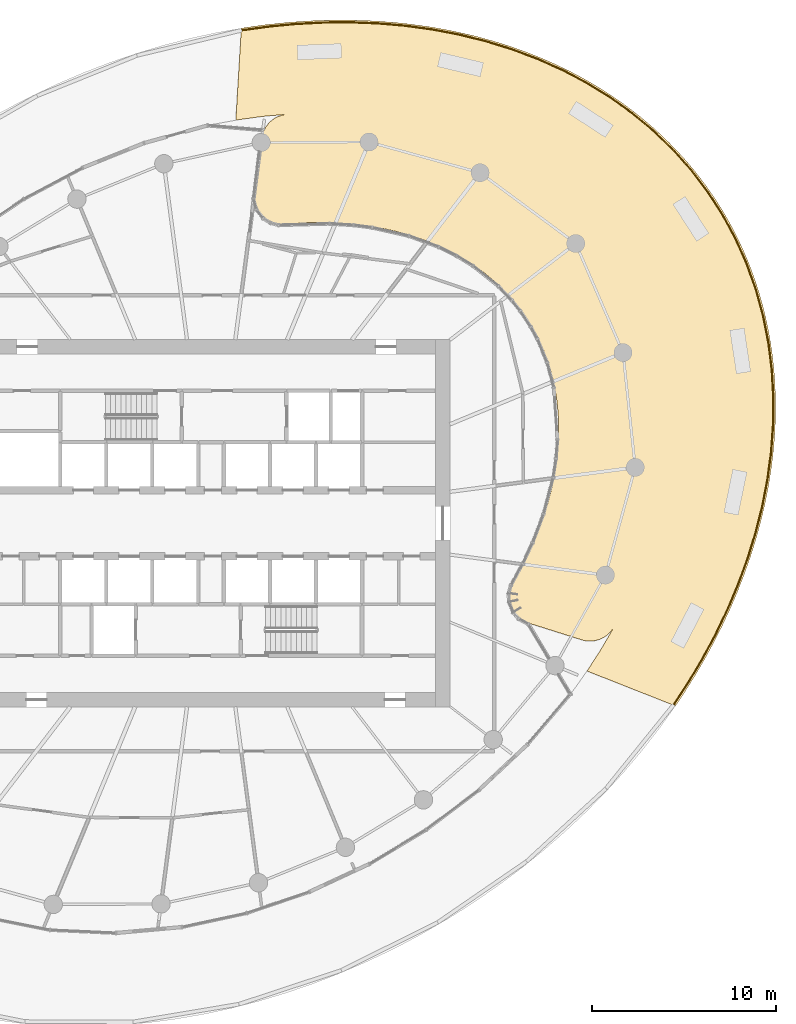
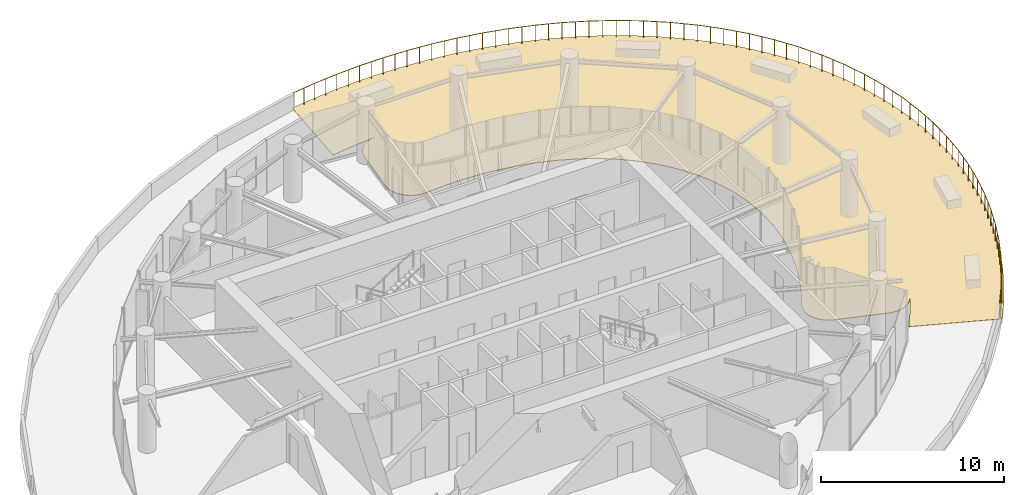
# One storey, part 20 of 21: 1 covering, 1 railing.
"""IFC4 building model written with IfcOpenShell, lengths in metres."""

from ifc_helpers import new_model, si_unit, direction, frame, origin, origin_2d, place, context, subcontext, project, spatial, line, indexed_curve, circle, outline, extrude, material, layer, layer_set, type_object, element, save


model = new_model("IFC4")

# Units and contexts
model_context = context("Model", 3, precision=1e-05, world=origin(), true_north=direction((0.0, 1.0)))
body_context = subcontext(model_context, "Body", "Model", "MODEL_VIEW")
ifc_project = project(units=[si_unit("LENGTHUNIT", "METRE"), si_unit("AREAUNIT", "SQUARE_METRE"), si_unit("VOLUMEUNIT", "CUBIC_METRE"), si_unit("PLANEANGLEUNIT", "RADIAN"), si_unit("MASSUNIT", "GRAM", prefix="KILO")], contexts=[model_context])

# Site, building, storey
site_placement = place(None, origin())
site = spatial("IfcSite", under=ifc_project, at=site_placement, CompositionType="ELEMENT")
building_placement = place(site_placement, origin())
building = spatial("IfcBuilding", under=site, at=building_placement, Name="Spindrift Exchange Tower", CompositionType="ELEMENT")
storey_placement = place(building_placement, frame((0.0, 0.0, 133.10009765625)))
storey = spatial("IfcBuildingStorey", under=building, at=storey_placement, Name="L31", CompositionType="ELEMENT", Elevation=133.10009765625)

# Covering
ifc_material_1 = material(Name="Hardwood timber decking on pedestals", Category="wood")
ifc_layer = layer(ifc_material_1, 0.0400390625)
ifc_layer_set = layer_set([ifc_layer], Name="TERRACE DECKING 40")
covering_type = type_object("IfcCoveringType", Name="TERRACE DECKING 40", PredefinedType="FLOORING", material=ifc_layer_set)
covering_placement = place(storey_placement, origin())
element("IfcCovering", 1, at=covering_placement, inside=storey, type_object=covering_type, Name="L31 Terrace Decking 1", PredefinedType="FLOORING", context=body_context, shape_type="SweptSolid", body=[
    extrude(outline(indexed_curve([(56.111328125, 70.2373046875), (54.8359375, 70.126953125), (53.3916015625, 69.9306640625), (53.34375, 69.9599609375), (53.6376953125, 74.8857421875), (53.666015625, 74.927734375), (54.845703125, 75.0986328125), (56.353515625, 75.2548828125), (57.8662109375, 75.3447265625), (59.3828125, 75.3662109375), (60.8974609375, 75.3173828125), (62.408203125, 75.1943359375), (63.9111328125, 74.9951171875), (64.9072265625, 74.818359375), (66.3857421875, 74.486328125), (67.3603515625, 74.21875), (68.3251953125, 73.9130859375), (69.275390625, 73.5693359375), (69.74609375, 73.3837890625), (70.671875, 72.982421875), (71.5810546875, 72.541015625), (72.4716796875, 72.0595703125), (73.337890625, 71.5390625), (74.1787109375, 70.9794921875), (74.5888671875, 70.6845703125), (75.3876953125, 70.06640625), (76.15625, 69.408203125), (76.8896484375, 68.7138671875), (77.587890625, 67.982421875), (78.248046875, 67.2158203125), (78.8662109375, 66.4169921875), (79.443359375, 65.5869140625), (79.974609375, 64.728515625), (80.2236328125, 64.2880859375), (80.4619140625, 63.8408203125), (80.9013671875, 62.9306640625), (81.29296875, 62.0), (81.470703125, 61.525390625), (81.7900390625, 60.5673828125), (82.060546875, 59.5927734375), (82.2822265625, 58.6083984375), (82.375, 58.109375), (82.525390625, 57.111328125), (82.6279296875, 56.10546875), (82.662109375, 55.6005859375), (82.6962890625, 54.58984375), (82.685546875, 53.580078125), (82.6318359375, 52.5703125), (82.58984375, 52.06640625), (82.47265625, 51.0625), (82.3173828125, 50.064453125), (82.1220703125, 49.072265625), (81.8896484375, 48.0888671875), (81.6220703125, 47.1142578125), (81.3193359375, 46.150390625), (80.982421875, 45.197265625), (80.615234375, 44.2548828125), (80.216796875, 43.326171875), (79.7880859375, 42.4111328125), (79.33203125, 41.5087890625), (78.84765625, 40.62109375), (78.337890625, 39.748046875), (77.8017578125, 38.890625), (77.259765625, 38.080078125), (77.212890625, 38.0751953125), (72.4736328125, 39.947265625), (72.46875, 40.0029296875), (73.2548828125, 41.2294921875), (73.8935546875, 42.3388671875), (73.7490234375, 42.1279296875), (73.5419921875, 41.921875), (73.416015625, 41.830078125), (73.1611328125, 41.6953125), (73.013671875, 41.64453125), (72.728515625, 41.58984375), (72.5751953125, 41.583984375), (72.28515625, 41.615234375), (69.1279296875, 42.6103515625), (68.869140625, 42.75390625), (68.6416015625, 42.947265625), (68.45703125, 43.1806640625), (68.322265625, 43.447265625), (68.2431640625, 43.732421875), (68.2216796875, 44.02734375), (68.2333984375, 44.18359375), (68.2998046875, 44.4716796875), (68.421875, 44.740234375), (68.8359375, 45.4833984375), (69.125, 46.0478515625), (69.53125, 46.9267578125), (69.7861328125, 47.544921875), (70.01171875, 48.1552734375), (70.318359375, 49.1181640625), (70.5673828125, 50.1123046875), (70.69921875, 50.791015625), (70.8017578125, 51.4990234375), (70.8681640625, 52.1982421875), (70.8984375, 53.2353515625), (70.869140625, 53.9658203125), (70.80078125, 54.6513671875), (70.75, 55.00390625), (70.609375, 55.7275390625), (70.435546875, 56.3935546875), (70.328125, 56.7333984375), (70.0693359375, 57.4267578125), (69.78515625, 58.052734375), (69.62109375, 58.3701171875), (69.2451171875, 59.0078125), (68.83984375, 59.595703125), (68.6220703125, 59.8779296875), (68.173828125, 60.400390625), (67.6552734375, 60.927734375), (67.3916015625, 61.16796875), (66.861328125, 61.6083984375), (66.2646484375, 62.0400390625), (65.966796875, 62.2353515625), (65.3740234375, 62.5859375), (64.724609375, 62.9208984375), (63.7705078125, 63.33203125), (63.091796875, 63.572265625), (62.1064453125, 63.8564453125), (61.41796875, 64.01171875), (60.427734375, 64.1806640625), (59.4140625, 64.29296875), (58.7685546875, 64.3330078125), (58.1162109375, 64.3515625), (57.154296875, 64.33984375), (55.9775390625, 64.2626953125), (55.685546875, 64.265625), (55.5302734375, 64.291015625), (55.2509765625, 64.3798828125), (55.11328125, 64.4482421875), (54.8701171875, 64.6171875), (54.6640625, 64.8330078125), (54.50390625, 65.0849609375), (54.3974609375, 65.36328125), (54.34765625, 65.66015625), (54.357421875, 65.9560546875), (54.775390625, 69.08203125), (54.818359375, 69.2294921875), (54.939453125, 69.49609375), (55.1103515625, 69.732421875), (55.21875, 69.8447265625), (55.4482421875, 70.01953125), (55.5849609375, 70.09375), (55.8583984375, 70.1943359375)], segments=[line(1, 2, 3, 4, 5, 6, 7, 8, 9, 10, 11, 12, 13, 14, 15, 16, 17, 18, 19, 20, 21, 22, 23, 24, 25, 26, 27, 28, 29, 30, 31, 32, 33, 34, 35, 36, 37, 38, 39, 40, 41, 42, 43, 44, 45, 46, 47, 48, 49, 50, 51, 52, 53, 54, 55, 56, 57, 58, 59, 60, 61, 62, 63, 64, 65, 66, 67, 68, 69, 70, 71, 72, 73, 74, 75, 76, 77, 78, 79, 80, 81, 82, 83, 84, 85, 86, 87, 88, 89, 90, 91, 92, 93, 94, 95, 96, 97, 98, 99, 100, 101, 102, 103, 104, 105, 106, 107, 108, 109, 110, 111, 112, 113, 114, 115, 116, 117, 118, 119, 120, 121, 122, 123, 124, 125, 126, 127, 128, 129, 130, 131, 132, 133, 134, 135, 136, 137, 138, 139, 140, 141, 142, 143, 144, 145, 146, 1)], self_intersect=False)), origin(), (0.0, 0.0, 1.0), 0.039794921875),
])

# Railing
ifc_material_2 = material(Name="Bronze anodised aluminium balustrade", Category="aluminium")
railing_type = type_object("IfcRailingType", Name="TERRACE GUARDRAIL 1150", PredefinedType="GUARDRAIL", material=ifc_material_2)
railing_placement = place(storey_placement, frame((53.642822265625, 74.8046875, 0.0)))
element("IfcRailing", 2, at=railing_placement, inside=storey, type_object=railing_type, Name="L31 Sky Garden Guardrail 1", PredefinedType="GUARDRAIL", context=body_context, shape_type="SweptSolid", body=[
    extrude(circle(Radius=0.02392578125, at=origin_2d()), frame((0.0, 0.0, 1.1259765625), z_axis=(0.990489790225, 0.137586247351, 0.0), x_axis=(-0.137586247351, 0.990489790225, 0.0)), (0.0, 0.0, 1.0), 1.48876953125),
    extrude(circle(Radius=0.02392578125, at=origin_2d()), frame((1.474609375, 0.204833984375, 1.1259765625), z_axis=(0.995373815795, 0.096077920615, 0.0), x_axis=(-0.096077920615, 0.995373815795, 0.0)), (0.0, 0.0, 1.0), 1.489013671875),
    extrude(circle(Radius=0.02392578125, at=origin_2d()), frame((2.956787109375, 0.347900390625, 1.1259765625), z_axis=(0.998604659897, 0.052808457955, 0.0), x_axis=(-0.052808457955, 0.998604659897, 0.0)), (0.0, 0.0, 1.0), 1.48876953125),
    extrude(circle(Radius=0.02392578125, at=origin_2d()), frame((4.443359375, 0.426513671875, 1.1259765625), z_axis=(0.999967717564, 0.008035162047, 0.0), x_axis=(-0.008035162047, 0.999967717564, 0.0)), (0.0, 0.0, 1.0), 1.48876953125),
    extrude(circle(Radius=0.02392578125, at=origin_2d()), frame((5.93212890625, 0.4384765625, 1.1259765625), z_axis=(0.999269868466, -0.038206412759, 0.0), x_axis=(0.038206412759, 0.999269868466, 0.0)), (0.0, 0.0, 1.0), 1.48876953125),
    extrude(circle(Radius=0.02392578125, at=origin_2d()), frame((7.419921875, 0.381591796875, 1.1259765625), z_axis=(0.996258412467, -0.086424392324, 0.0), x_axis=(0.086424392324, 0.996258412467, 0.0)), (0.0, 0.0, 1.0), 1.48876953125),
    extrude(circle(Radius=0.02392578125, at=origin_2d()), frame((8.903076171875, 0.2529296875, 1.1259765625), z_axis=(0.990670815862, -0.13627668399, 0.0), x_axis=(0.13627668399, 0.990670815862, 0.0)), (0.0, 0.0, 1.0), 1.48876953125),
    extrude(circle(Radius=0.02392578125, at=origin_2d()), frame((10.3779296875, 0.050048828125, 1.1259765625), z_axis=(0.982246589944, -0.187594340383, 0.0), x_axis=(0.187594340383, 0.982246589944, 0.0)), (0.0, 0.0, 1.0), 1.48876953125),
    extrude(circle(Radius=0.02392578125, at=origin_2d()), frame((11.84033203125, -0.229248046875, 1.1259765625), z_axis=(0.970584655769, -0.240760100485, 0.0), x_axis=(0.240760100485, 0.970584655769, 0.0)), (0.0, 0.0, 1.0), 1.488525390625),
    extrude(circle(Radius=0.02392578125, at=origin_2d()), frame((13.28515625, -0.587646484375, 1.1259765625), z_axis=(0.955345423159, -0.295491323813, 0.0), x_axis=(0.295491323813, 0.955345423159, 0.0)), (0.0, 0.0, 1.0), 1.48876953125),
    extrude(circle(Radius=0.02392578125, at=origin_2d()), frame((14.70751953125, -1.027587890625, 1.1259765625), z_axis=(0.936214559902, -0.351428937094, 0.0), x_axis=(0.351428937094, 0.936214559902, 0.0)), (0.0, 0.0, 1.0), 1.48876953125),
    extrude(circle(Radius=0.02392578125, at=origin_2d()), frame((16.101318359375, -1.55078125, 1.1259765625), z_axis=(0.91267179319, -0.408693280976, 0.0), x_axis=(0.408693280976, 0.91267179319, 0.0)), (0.0, 0.0, 1.0), 1.488525390625),
    extrude(circle(Radius=0.02392578125, at=origin_2d()), frame((17.4599609375, -2.1591796875, 1.1259765625), z_axis=(0.884576481317, -0.466395163676, 0.0), x_axis=(0.466395163676, 0.884576481317, 0.0)), (0.0, 0.0, 1.0), 1.48876953125),
    extrude(circle(Radius=0.02392578125, at=origin_2d()), frame((18.77685546875, -2.853515625, 1.1259765625), z_axis=(0.851179416358, -0.524874843337, 0.0), x_axis=(0.524874843337, 0.851179416358, 0.0)), (0.0, 0.0, 1.0), 1.489013671875),
    extrude(circle(Radius=0.02392578125, at=origin_2d()), frame((20.044189453125, -3.635009765625, 1.1259765625), z_axis=(0.812534873065, -0.582912583543, 0.0), x_axis=(0.582912583543, 0.812534873065, 0.0)), (0.0, 0.0, 1.0), 1.488525390625),
    extrude(circle(Radius=0.02392578125, at=origin_2d()), frame((21.253662109375, -4.502685546875, 1.1259765625), z_axis=(0.768758662298, -0.63953898954, 0.0), x_axis=(0.63953898954, 0.768758662298, 0.0)), (0.0, 0.0, 1.0), 1.48876953125),
    extrude(circle(Radius=0.02392578125, at=origin_2d()), frame((22.398193359375, -5.454833984375, 1.1259765625), z_axis=(0.719381677266, -0.694615003015, 0.0), x_axis=(0.694615003015, 0.719381677266, 0.0)), (0.0, 0.0, 1.0), 1.488525390625),
    extrude(circle(Radius=0.02392578125, at=origin_2d()), frame((23.468994140625, -6.48876953125, 1.1259765625), z_axis=(0.664913389332, -0.746920467444, 0.0), x_axis=(0.746920467444, 0.664913389332, 0.0)), (0.0, 0.0, 1.0), 1.488525390625),
    extrude(circle(Radius=0.02392578125, at=origin_2d()), frame((24.458740234375, -7.6005859375, 1.1259765625), z_axis=(0.605652788837, -0.795729036403, 0.0), x_axis=(0.795729036403, 0.605652788837, 0.0)), (0.0, 0.0, 1.0), 1.48876953125),
    extrude(circle(Radius=0.02392578125, at=origin_2d()), frame((25.3603515625, -8.78515625, 1.1259765625), z_axis=(0.542223996069, -0.840233978179, 0.0), x_axis=(0.840233978179, 0.542223996069, 0.0)), (0.0, 0.0, 1.0), 1.488525390625),
    extrude(circle(Radius=0.02392578125, at=origin_2d()), frame((26.16748046875, -10.035888671875, 1.1259765625), z_axis=(0.475527326869, -0.879700949983, 0.0), x_axis=(0.879700949983, 0.475527326869, 0.0)), (0.0, 0.0, 1.0), 1.48828125),
    extrude(circle(Radius=0.02392578125, at=origin_2d()), frame((26.875244140625, -11.34521484375, 1.1259765625), z_axis=(0.406275425933, -0.913750665271, 0.0), x_axis=(0.913750665271, 0.406275425933, 0.0)), (0.0, 0.0, 1.0), 1.488525390625),
    extrude(circle(Radius=0.02392578125, at=origin_2d()), frame((27.47998046875, -12.705322265625, 1.1259765625), z_axis=(0.335546697774, -0.94202357381, 0.0), x_axis=(0.94202357381, 0.335546697774, 0.0)), (0.0, 0.0, 1.0), 1.48876953125),
    extrude(circle(Radius=0.02392578125, at=origin_2d()), frame((27.9794921875, -14.107666015625, 1.1259765625), z_axis=(0.264393977743, -0.964414757526, 0.0), x_axis=(0.964414757526, 0.264393977743, 0.0)), (0.0, 0.0, 1.0), 1.488525390625),
    extrude(circle(Radius=0.02392578125, at=origin_2d()), frame((28.373046875, -15.543212890625, 1.1259765625), z_axis=(0.193340192023, -0.981131780215, 0.0), x_axis=(0.981131780215, 0.193340192023, 0.0)), (0.0, 0.0, 1.0), 1.48876953125),
    extrude(circle(Radius=0.02392578125, at=origin_2d()), frame((28.660888671875, -17.00390625, 1.1259765625), z_axis=(0.123671358071, -0.992323231207, 0.0), x_axis=(0.992323231207, 0.123671358071, 0.0)), (0.0, 0.0, 1.0), 1.488525390625),
    extrude(circle(Radius=0.02392578125, at=origin_2d()), frame((28.844970703125, -18.48095703125, 1.1259765625), z_axis=(0.055760679274, -0.998444163009, 0.0), x_axis=(0.998444163009, 0.055760679274, 0.0)), (0.0, 0.0, 1.0), 1.488525390625),
    extrude(circle(Radius=0.02392578125, at=origin_2d()), frame((28.927978515625, -19.96728515625, 1.1259765625), z_axis=(-0.010004419752, -0.99994995454, 0.0), x_axis=(0.99994995454, -0.010004419752, 0.0)), (0.0, 0.0, 1.0), 1.488525390625),
    extrude(circle(Radius=0.02392578125, at=origin_2d()), frame((28.9130859375, -21.455810546875, 1.1259765625), z_axis=(-0.072820458696, -0.997345066061, 0.0), x_axis=(0.997345066061, -0.072820458696, 0.0)), (0.0, 0.0, 1.0), 1.488525390625),
    extrude(circle(Radius=0.02392578125, at=origin_2d()), frame((28.8046875, -22.9404296875, 1.1259765625), z_axis=(-0.133151831364, -0.991095651188, 0.0), x_axis=(0.991095651188, -0.133151831364, 0.0)), (0.0, 0.0, 1.0), 1.48876953125),
    extrude(circle(Radius=0.02392578125, at=origin_2d()), frame((28.6064453125, -24.416015625, 1.1259765625), z_axis=(-0.190404340174, -0.981705753901, 0.0), x_axis=(0.981705753901, -0.190404340174, 0.0)), (0.0, 0.0, 1.0), 1.48876953125),
    extrude(circle(Radius=0.02392578125, at=origin_2d()), frame((28.322998046875, -25.87744140625, 1.1259765625), z_axis=(-0.244502956732, -0.969648546717, 0.0), x_axis=(0.969648546717, -0.244502956732, 0.0)), (0.0, 0.0, 1.0), 1.48876953125),
    extrude(circle(Radius=0.02392578125, at=origin_2d()), frame((27.958984375, -27.321044921875, 1.1259765625), z_axis=(-0.295640974678, -0.955299122836, 0.0), x_axis=(0.955299122836, -0.295640974678, 0.0)), (0.0, 0.0, 1.0), 1.489013671875),
    extrude(circle(Radius=0.02392578125, at=origin_2d()), frame((27.518798828125, -28.743408203125, 1.1259765625), z_axis=(-0.344230555401, -0.938885149914, 0.0), x_axis=(0.938885149914, -0.344230555401, 0.0)), (0.0, 0.0, 1.0), 1.48876953125),
    extrude(circle(Radius=0.02392578125, at=origin_2d()), frame((27.00634765625, -30.14111328125, 1.1259765625), z_axis=(-0.389779070565, -0.920908397263, 0.0), x_axis=(0.920908397263, -0.389779070565, 0.0)), (0.0, 0.0, 1.0), 1.48876953125),
    extrude(circle(Radius=0.02392578125, at=origin_2d()), frame((26.426025390625, -31.51220703125, 1.1259765625), z_axis=(-0.432922978948, -0.901430914878, 0.0), x_axis=(0.901430914878, -0.432922978948, 0.0)), (0.0, 0.0, 1.0), 1.48876953125),
    extrude(circle(Radius=0.02392578125, at=origin_2d()), frame((25.781494140625, -32.854248046875, 1.1259765625), z_axis=(-0.473385864479, -0.88085516591, 0.0), x_axis=(0.88085516591, -0.473385864479, 0.0)), (0.0, 0.0, 1.0), 1.489013671875),
    extrude(circle(Radius=0.02392578125, at=origin_2d()), frame((25.07666015625, -34.165771484375, 1.1259765625), z_axis=(-0.511792299625, -0.85910921427, 0.0), x_axis=(0.85910921427, -0.511792299625, 0.0)), (0.0, 0.0, 1.0), 1.48876953125),
    extrude(circle(Radius=0.02392578125, at=origin_2d()), frame((24.314697265625, -35.44482421875, 1.1259765625), z_axis=(-0.547907553193, -0.836538889206, 0.0), x_axis=(0.836538889206, -0.547907553193, 0.0)), (0.0, 0.0, 1.0), 1.48876953125),
    extrude(circle(Radius=0.02099609375, at=origin_2d()), origin(), (0.0, 0.0, 1.0), 1.101806640625),
    extrude(circle(Radius=0.02099609375, at=origin_2d()), frame((0.7373046875, 0.1025390625, 0.0)), (0.0, 0.0, 1.0), 1.101806640625),
    extrude(circle(Radius=0.02099609375, at=origin_2d()), frame((1.474609375, 0.204833984375, 0.0)), (0.0, 0.0, 1.0), 1.101806640625),
    extrude(circle(Radius=0.02099609375, at=origin_2d()), frame((2.2158203125, 0.2763671875, 0.0)), (0.0, 0.0, 1.0), 1.101806640625),
    extrude(circle(Radius=0.02099609375, at=origin_2d()), frame((2.956787109375, 0.347900390625, 0.0)), (0.0, 0.0, 1.0), 1.101806640625),
    extrude(circle(Radius=0.02099609375, at=origin_2d()), frame((3.7001953125, 0.38720703125, 0.0)), (0.0, 0.0, 1.0), 1.101806640625),
    extrude(circle(Radius=0.02099609375, at=origin_2d()), frame((4.443359375, 0.426513671875, 0.0)), (0.0, 0.0, 1.0), 1.101806640625),
    extrude(circle(Radius=0.02099609375, at=origin_2d()), frame((5.187744140625, 0.4326171875, 0.0)), (0.0, 0.0, 1.0), 1.101806640625),
    extrude(circle(Radius=0.02099609375, at=origin_2d()), frame((5.93212890625, 0.4384765625, 0.0)), (0.0, 0.0, 1.0), 1.101806640625),
    extrude(circle(Radius=0.02099609375, at=origin_2d()), frame((6.676025390625, 0.41015625, 0.0)), (0.0, 0.0, 1.0), 1.101806640625),
    extrude(circle(Radius=0.02099609375, at=origin_2d()), frame((7.419921875, 0.381591796875, 0.0)), (0.0, 0.0, 1.0), 1.101806640625),
    extrude(circle(Radius=0.02099609375, at=origin_2d()), frame((8.16162109375, 0.3173828125, 0.0)), (0.0, 0.0, 1.0), 1.101806640625),
    extrude(circle(Radius=0.02099609375, at=origin_2d()), frame((8.903076171875, 0.2529296875, 0.0)), (0.0, 0.0, 1.0), 1.101806640625),
    extrude(circle(Radius=0.02099609375, at=origin_2d()), frame((9.640625, 0.1513671875, 0.0)), (0.0, 0.0, 1.0), 1.101806640625),
    extrude(circle(Radius=0.02099609375, at=origin_2d()), frame((10.3779296875, 0.050048828125, 0.0)), (0.0, 0.0, 1.0), 1.101806640625),
    extrude(circle(Radius=0.02099609375, at=origin_2d()), frame((11.109130859375, -0.089599609375, 0.0)), (0.0, 0.0, 1.0), 1.101806640625),
    extrude(circle(Radius=0.02099609375, at=origin_2d()), frame((11.84033203125, -0.229248046875, 0.0)), (0.0, 0.0, 1.0), 1.101806640625),
    extrude(circle(Radius=0.02099609375, at=origin_2d()), frame((12.562744140625, -0.408447265625, 0.0)), (0.0, 0.0, 1.0), 1.101806640625),
    extrude(circle(Radius=0.02099609375, at=origin_2d()), frame((13.28515625, -0.587646484375, 0.0)), (0.0, 0.0, 1.0), 1.101806640625),
    extrude(circle(Radius=0.02099609375, at=origin_2d()), frame((13.996337890625, -0.8076171875, 0.0)), (0.0, 0.0, 1.0), 1.101806640625),
    extrude(circle(Radius=0.02099609375, at=origin_2d()), frame((14.70751953125, -1.027587890625, 0.0)), (0.0, 0.0, 1.0), 1.101806640625),
    extrude(circle(Radius=0.02099609375, at=origin_2d()), frame((15.404296875, -1.2890625, 0.0)), (0.0, 0.0, 1.0), 1.101806640625),
    extrude(circle(Radius=0.02099609375, at=origin_2d()), frame((16.101318359375, -1.55078125, 0.0)), (0.0, 0.0, 1.0), 1.101806640625),
    extrude(circle(Radius=0.02099609375, at=origin_2d()), frame((16.78076171875, -1.85498046875, 0.0)), (0.0, 0.0, 1.0), 1.101806640625),
    extrude(circle(Radius=0.02099609375, at=origin_2d()), frame((17.4599609375, -2.1591796875, 0.0)), (0.0, 0.0, 1.0), 1.101806640625),
    extrude(circle(Radius=0.02099609375, at=origin_2d()), frame((18.118408203125, -2.50634765625, 0.0)), (0.0, 0.0, 1.0), 1.101806640625),
    extrude(circle(Radius=0.02099609375, at=origin_2d()), frame((18.77685546875, -2.853515625, 0.0)), (0.0, 0.0, 1.0), 1.101806640625),
    extrude(circle(Radius=0.02099609375, at=origin_2d()), frame((19.41064453125, -3.244140625, 0.0)), (0.0, 0.0, 1.0), 1.101806640625),
    extrude(circle(Radius=0.02099609375, at=origin_2d()), frame((20.044189453125, -3.635009765625, 0.0)), (0.0, 0.0, 1.0), 1.101806640625),
    extrude(circle(Radius=0.02099609375, at=origin_2d()), frame((20.64892578125, -4.06884765625, 0.0)), (0.0, 0.0, 1.0), 1.101806640625),
    extrude(circle(Radius=0.02099609375, at=origin_2d()), frame((21.253662109375, -4.502685546875, 0.0)), (0.0, 0.0, 1.0), 1.101806640625),
    extrude(circle(Radius=0.02099609375, at=origin_2d()), frame((21.825927734375, -4.978759765625, 0.0)), (0.0, 0.0, 1.0), 1.101806640625),
    extrude(circle(Radius=0.02099609375, at=origin_2d()), frame((22.398193359375, -5.454833984375, 0.0)), (0.0, 0.0, 1.0), 1.101806640625),
    extrude(circle(Radius=0.02099609375, at=origin_2d()), frame((22.93359375, -5.9716796875, 0.0)), (0.0, 0.0, 1.0), 1.101806640625),
    extrude(circle(Radius=0.02099609375, at=origin_2d()), frame((23.468994140625, -6.48876953125, 0.0)), (0.0, 0.0, 1.0), 1.101806640625),
    extrude(circle(Radius=0.02099609375, at=origin_2d()), frame((23.9638671875, -7.044677734375, 0.0)), (0.0, 0.0, 1.0), 1.101806640625),
    extrude(circle(Radius=0.02099609375, at=origin_2d()), frame((24.458740234375, -7.6005859375, 0.0)), (0.0, 0.0, 1.0), 1.101806640625),
    extrude(circle(Radius=0.02099609375, at=origin_2d()), frame((24.90966796875, -8.19287109375, 0.0)), (0.0, 0.0, 1.0), 1.101806640625),
    extrude(circle(Radius=0.02099609375, at=origin_2d()), frame((25.3603515625, -8.78515625, 0.0)), (0.0, 0.0, 1.0), 1.101806640625),
    extrude(circle(Radius=0.02099609375, at=origin_2d()), frame((25.763916015625, -9.41064453125, 0.0)), (0.0, 0.0, 1.0), 1.101806640625),
    extrude(circle(Radius=0.02099609375, at=origin_2d()), frame((26.16748046875, -10.035888671875, 0.0)), (0.0, 0.0, 1.0), 1.101806640625),
    extrude(circle(Radius=0.02099609375, at=origin_2d()), frame((26.521484375, -10.6904296875, 0.0)), (0.0, 0.0, 1.0), 1.101806640625),
    extrude(circle(Radius=0.02099609375, at=origin_2d()), frame((26.875244140625, -11.34521484375, 0.0)), (0.0, 0.0, 1.0), 1.101806640625),
    extrude(circle(Radius=0.02099609375, at=origin_2d()), frame((27.177734375, -12.025390625, 0.0)), (0.0, 0.0, 1.0), 1.101806640625),
    extrude(circle(Radius=0.02099609375, at=origin_2d()), frame((27.47998046875, -12.705322265625, 0.0)), (0.0, 0.0, 1.0), 1.101806640625),
    extrude(circle(Radius=0.02099609375, at=origin_2d()), frame((27.729736328125, -13.406494140625, 0.0)), (0.0, 0.0, 1.0), 1.101806640625),
    extrude(circle(Radius=0.02099609375, at=origin_2d()), frame((27.9794921875, -14.107666015625, 0.0)), (0.0, 0.0, 1.0), 1.101806640625),
    extrude(circle(Radius=0.02099609375, at=origin_2d()), frame((28.17626953125, -14.825439453125, 0.0)), (0.0, 0.0, 1.0), 1.101806640625),
    extrude(circle(Radius=0.02099609375, at=origin_2d()), frame((28.373046875, -15.543212890625, 0.0)), (0.0, 0.0, 1.0), 1.101806640625),
    extrude(circle(Radius=0.02099609375, at=origin_2d()), frame((28.51708984375, -16.2734375, 0.0)), (0.0, 0.0, 1.0), 1.101806640625),
    extrude(circle(Radius=0.02099609375, at=origin_2d()), frame((28.660888671875, -17.00390625, 0.0)), (0.0, 0.0, 1.0), 1.101806640625),
    extrude(circle(Radius=0.02099609375, at=origin_2d()), frame((28.7529296875, -17.742431640625, 0.0)), (0.0, 0.0, 1.0), 1.101806640625),
    extrude(circle(Radius=0.02099609375, at=origin_2d()), frame((28.844970703125, -18.48095703125, 0.0)), (0.0, 0.0, 1.0), 1.101806640625),
    extrude(circle(Radius=0.02099609375, at=origin_2d()), frame((28.886474609375, -19.22412109375, 0.0)), (0.0, 0.0, 1.0), 1.101806640625),
    extrude(circle(Radius=0.02099609375, at=origin_2d()), frame((28.927978515625, -19.96728515625, 0.0)), (0.0, 0.0, 1.0), 1.101806640625),
    extrude(circle(Radius=0.02099609375, at=origin_2d()), frame((28.92041015625, -20.71142578125, 0.0)), (0.0, 0.0, 1.0), 1.101806640625),
    extrude(circle(Radius=0.02099609375, at=origin_2d()), frame((28.9130859375, -21.455810546875, 0.0)), (0.0, 0.0, 1.0), 1.101806640625),
    extrude(circle(Radius=0.02099609375, at=origin_2d()), frame((28.85888671875, -22.1982421875, 0.0)), (0.0, 0.0, 1.0), 1.101806640625),
    extrude(circle(Radius=0.02099609375, at=origin_2d()), frame((28.8046875, -22.9404296875, 0.0)), (0.0, 0.0, 1.0), 1.101806640625),
    extrude(circle(Radius=0.02099609375, at=origin_2d()), frame((28.70556640625, -23.67822265625, 0.0)), (0.0, 0.0, 1.0), 1.101806640625),
    extrude(circle(Radius=0.02099609375, at=origin_2d()), frame((28.6064453125, -24.416015625, 0.0)), (0.0, 0.0, 1.0), 1.101806640625),
    extrude(circle(Radius=0.02099609375, at=origin_2d()), frame((28.46484375, -25.146728515625, 0.0)), (0.0, 0.0, 1.0), 1.101806640625),
    extrude(circle(Radius=0.02099609375, at=origin_2d()), frame((28.322998046875, -25.87744140625, 0.0)), (0.0, 0.0, 1.0), 1.101806640625),
    extrude(circle(Radius=0.02099609375, at=origin_2d()), frame((28.14111328125, -26.59912109375, 0.0)), (0.0, 0.0, 1.0), 1.101806640625),
    extrude(circle(Radius=0.02099609375, at=origin_2d()), frame((27.958984375, -27.321044921875, 0.0)), (0.0, 0.0, 1.0), 1.101806640625),
    extrude(circle(Radius=0.02099609375, at=origin_2d()), frame((27.73876953125, -28.0322265625, 0.0)), (0.0, 0.0, 1.0), 1.101806640625),
    extrude(circle(Radius=0.02099609375, at=origin_2d()), frame((27.518798828125, -28.743408203125, 0.0)), (0.0, 0.0, 1.0), 1.101806640625),
    extrude(circle(Radius=0.02099609375, at=origin_2d()), frame((27.2626953125, -29.4423828125, 0.0)), (0.0, 0.0, 1.0), 1.101806640625),
    extrude(circle(Radius=0.02099609375, at=origin_2d()), frame((27.00634765625, -30.14111328125, 0.0)), (0.0, 0.0, 1.0), 1.101806640625),
    extrude(circle(Radius=0.02099609375, at=origin_2d()), frame((26.71630859375, -30.82666015625, 0.0)), (0.0, 0.0, 1.0), 1.101806640625),
    extrude(circle(Radius=0.02099609375, at=origin_2d()), frame((26.426025390625, -31.51220703125, 0.0)), (0.0, 0.0, 1.0), 1.101806640625),
    extrude(circle(Radius=0.02099609375, at=origin_2d()), frame((26.103759765625, -32.18310546875, 0.0)), (0.0, 0.0, 1.0), 1.101806640625),
    extrude(circle(Radius=0.02099609375, at=origin_2d()), frame((25.781494140625, -32.854248046875, 0.0)), (0.0, 0.0, 1.0), 1.101806640625),
    extrude(circle(Radius=0.02099609375, at=origin_2d()), frame((25.42919921875, -33.510009765625, 0.0)), (0.0, 0.0, 1.0), 1.101806640625),
    extrude(circle(Radius=0.02099609375, at=origin_2d()), frame((25.07666015625, -34.165771484375, 0.0)), (0.0, 0.0, 1.0), 1.101806640625),
    extrude(circle(Radius=0.02099609375, at=origin_2d()), frame((24.69580078125, -34.80517578125, 0.0)), (0.0, 0.0, 1.0), 1.101806640625),
    extrude(circle(Radius=0.02099609375, at=origin_2d()), frame((24.314697265625, -35.44482421875, 0.0)), (0.0, 0.0, 1.0), 1.101806640625),
    extrude(circle(Radius=0.02099609375, at=origin_2d()), frame((23.90673828125, -36.0673828125, 0.0)), (0.0, 0.0, 1.0), 1.101806640625),
    extrude(circle(Radius=0.02099609375, at=origin_2d()), frame((23.4990234375, -36.690185546875, 0.0)), (0.0, 0.0, 1.0), 1.101806640625),
])

save(model, "model.ifc")
